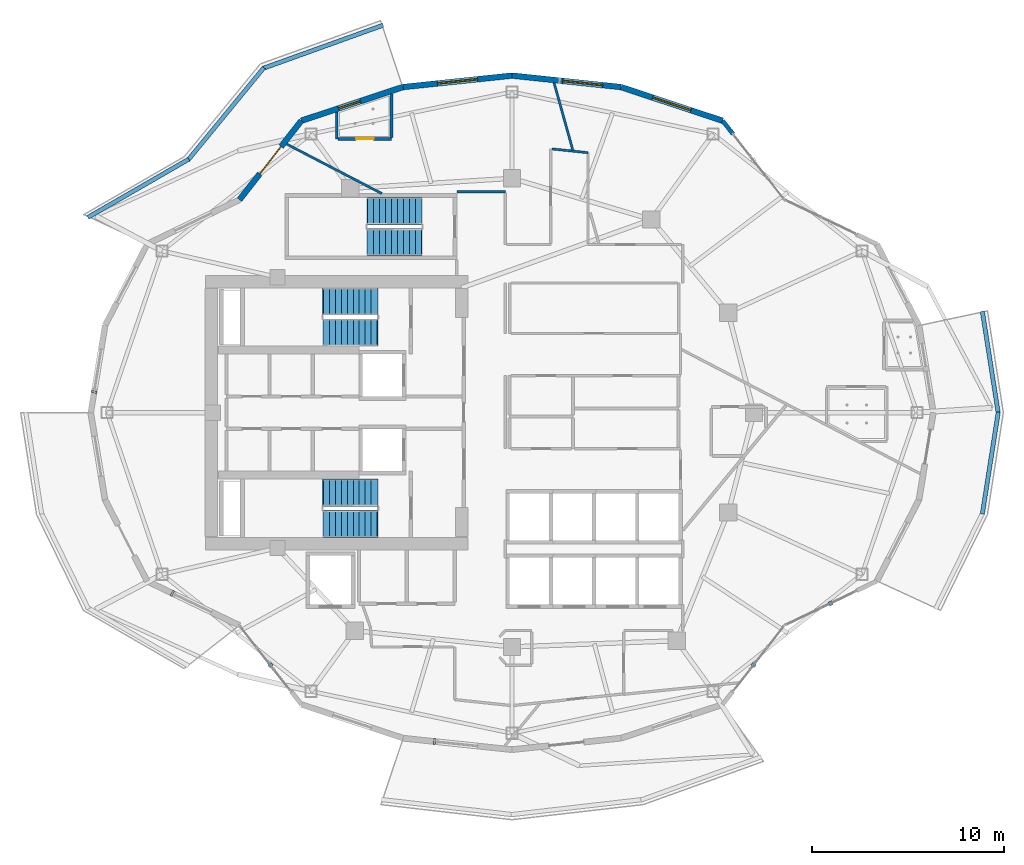
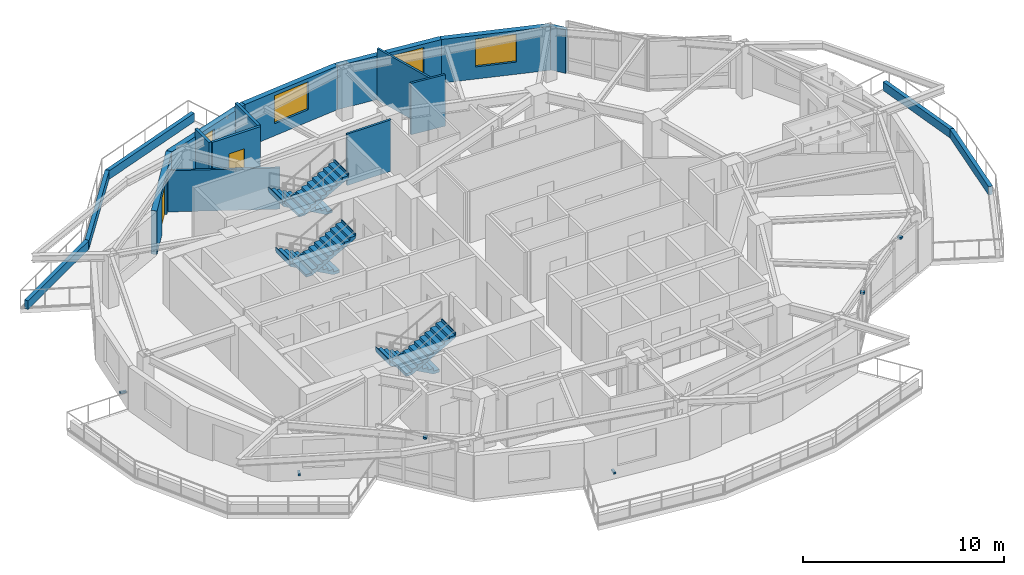
# One storey, part 12 of 18: 18 walls, 6 discrete accessories, 6 stair flights, 4 windows, 2 doors, 6 openings, 3 elements without a shape of their own.
"""IFC4 building model written with IfcOpenShell, lengths in metres."""

from ifc_helpers import new_model, si_unit, direction, frame, frame_2d, origin, origin_2d, place, context, subcontext, project, spatial, polyline, rectangle, outline, extrude, material, layer, layer_set, type_object, element, fill, aggregate, save


model = new_model("IFC4")

# Units and contexts
model_context = context("Model", 3, precision=1e-05, world=origin(), true_north=direction((0.0, 1.0)))
body_context = subcontext(model_context, "Body", "Model", "MODEL_VIEW")
ifc_project = project(units=[si_unit("LENGTHUNIT", "METRE"), si_unit("AREAUNIT", "SQUARE_METRE"), si_unit("VOLUMEUNIT", "CUBIC_METRE"), si_unit("PLANEANGLEUNIT", "RADIAN"), si_unit("MASSUNIT", "GRAM", prefix="KILO")], contexts=[model_context])

# Site, building, storey
site_placement = place(None, origin())
site = spatial("IfcSite", under=ifc_project, at=site_placement, CompositionType="ELEMENT")
building_placement = place(site_placement, origin())
building = spatial("IfcBuilding", under=site, at=building_placement, Name="Kolvaren Gate Tower and Convention Centre", CompositionType="ELEMENT")
storey_placement = place(building_placement, frame((0.0, 0.0, 176.699951171875)))
storey = spatial("IfcBuildingStorey", under=building, at=storey_placement, Name="L46", CompositionType="ELEMENT", Elevation=176.699951171875)

# Walls
ifc_material_1 = material(Name="Fire-Rated Acoustic Gypsum Stud Partition", Category="gypsum")
ifc_layer_1 = layer(ifc_material_1, 0.1201171875)
ifc_layer_set_1 = layer_set([ifc_layer_1], Name="Fire-Rated Acoustic Gypsum Stud Partition")
wall_type_1 = type_object("IfcWallType", Name="ARCH-WL-PART-120", PredefinedType="PARTITIONING", material=ifc_layer_set_1)
wall_1_placement = place(storey_placement, frame((27.25, 38.5, 0.0), z_axis=(0.0, 0.0, 1.0), x_axis=(1.0, 0.0, 0.0)))
element("IfcWall", 1, at=wall_1_placement, inside=storey, type_object=wall_type_1, Name="Interior Partition WL-L46-INT-038", PredefinedType="PARTITIONING", context=body_context, shape_type="SweptSolid", body=[
    extrude(rectangle(XDim=2.530029296875, YDim=0.1201171875, at=frame_2d((1.26513671875, 0.0))), origin(), (0.0, 0.0, 1.0), 3.130126953125),
])
wall_2_placement = place(storey_placement, frame((32.2119140625, 40.73046875, 0.0), z_axis=(0.0, 0.0, 1.0), x_axis=(0.994511860417, -0.104623895405, 0.0)))
element("IfcWall", 2, at=wall_2_placement, inside=storey, type_object=wall_type_1, Name="Interior Partition WL-L46-INT-046", PredefinedType="PARTITIONING", context=body_context, shape_type="SweptSolid", body=[
    extrude(rectangle(XDim=1.87841796875, YDim=0.1201171875, at=frame_2d((0.939208984375, 0.0))), origin(), (0.0, 0.0, 1.0), 3.130126953125),
])
wall_3_placement = place(storey_placement, frame((18.39599609375, 40.981201171875, 0.0), z_axis=(0.0, 0.0, 1.0), x_axis=(0.887120213162, -0.461538435452, 0.0)))
element("IfcWall", 3, at=wall_3_placement, inside=storey, type_object=wall_type_1, Name="Interior Partition WL-L46-INT-054", PredefinedType="PARTITIONING", context=body_context, shape_type="SweptSolid", body=[
    extrude(rectangle(XDim=5.588134765625, YDim=0.1201171875, at=frame_2d((2.7939453125, 0.0))), origin(), (0.0, 0.0, 1.0), 2.505126953125),
])
wall_4_placement = place(storey_placement, frame((32.317138671875, 44.166259765625, 0.0), z_axis=(0.0, 0.0, 1.0), x_axis=(0.268461316047, -0.963290465948, 0.0)))
element("IfcWall", 4, at=wall_4_placement, inside=storey, type_object=wall_type_1, Name="Interior Partition WL-L46-INT-070", PredefinedType="PARTITIONING", context=body_context, shape_type="SweptSolid", body=[
    extrude(rectangle(XDim=3.619384765625, YDim=0.1201171875, at=frame_2d((1.8095703125, 0.0))), origin(), (0.0, 0.0, 1.0), 3.130126953125),
])
ifc_material_2 = material(Name="Bogota Sabana Bush-Hammered Sandstone Cladding", Category="masonry")
ifc_layer_2 = layer(ifc_material_2, 0.219970703125)
ifc_layer_set_2 = layer_set([ifc_layer_2], Name="Bogota Sabana Bush-Hammered Sandstone Cladding")
wall_type_2 = type_object("IfcWallType", Name="ARCH-WL-PIER-220", PredefinedType="SOLIDWALL", material=ifc_layer_set_2)
wall_5_placement = place(storey_placement, frame((41.09375, 42.19873046875, 0.0), z_axis=(0.0, 0.0, 1.0), x_axis=(0.616368366719, -0.787457958566, 0.0)))
element("IfcWall", 5, at=wall_5_placement, inside=storey, type_object=wall_type_2, Name="Tower L46 Unitised Curtain Wall CW-HTL-UNIT Bay 03 Left Column Pier Wrap", PredefinedType="SOLIDWALL", context=body_context, shape_type="SweptSolid", body=[
    extrude(rectangle(XDim=0.876220703125, YDim=0.219970703125, at=frame_2d((0.43798828125, 0.0))), origin(), (0.0, 0.0, 1.0), 2.653076171875),
])
ifc_material_3 = material(Name="Piedmont Cream Honed Limestone Cladding", Category="masonry")
ifc_layer_3 = layer(ifc_material_3, 0.219970703125)
ifc_layer_set_3 = layer_set([ifc_layer_3], Name="Piedmont Cream Honed Limestone Cladding")
wall_type_3 = type_object("IfcWallType", Name="ARCH-WL-PLANTER-220", PredefinedType="PARAPET", material=ifc_layer_set_3)
wall_6_placement = place(storey_placement, frame((17.14306640625, 44.917724609375, 0.0), z_axis=(0.0, 0.0, 1.0), x_axis=(0.94094437769, 0.33856118811, 0.0)))
element("IfcWall", 6, at=wall_6_placement, inside=storey, type_object=wall_type_3, Name="Vertical-Forest Balcony Stone Planter Kerb PK-L46-1.1", PredefinedType="PARAPET", context=body_context, shape_type="SweptSolid", body=[
    extrude(rectangle(XDim=6.663818359375, YDim=0.219970703125, at=frame_2d((3.33203125, 0.0))), origin(), (0.0, 0.0, 1.0), 0.52001953125),
])
wall_7_placement = place(storey_placement, frame((13.24609375, 40.13720703125, 0.0), z_axis=(0.0, 0.0, 1.0), x_axis=(0.634429234628, 0.77298094818, 0.0)))
element("IfcWall", 7, at=wall_7_placement, inside=storey, type_object=wall_type_3, Name="Vertical-Forest Balcony Stone Planter Kerb PK-L46-1.2", PredefinedType="PARAPET", context=body_context, shape_type="SweptSolid", body=[
    extrude(rectangle(XDim=6.244873046875, YDim=0.219970703125, at=frame_2d((3.12255859375, 0.0))), origin(), (0.0, 0.0, 1.0), 0.52001953125),
])
wall_8_placement = place(storey_placement, frame((8.0439453125, 37.16552734375, 0.0), z_axis=(0.0, 0.0, 1.0), x_axis=(0.866058128659, 0.499943314571, 0.0)))
element("IfcWall", 8, at=wall_8_placement, inside=storey, type_object=wall_type_3, Name="Vertical-Forest Balcony Stone Planter Kerb PK-L46-1.3", PredefinedType="PARAPET", context=body_context, shape_type="SweptSolid", body=[
    extrude(rectangle(XDim=6.060302734375, YDim=0.219970703125, at=frame_2d((3.0302734375, 0.0))), origin(), (0.0, 0.0, 1.0), 0.52001953125),
])
for number, where, z_axis, x_axis, name in (
    (9, (54.615234375, 21.719970703125, 0.0), (0.0, 0.0, 1.0), (0.154245214003, 0.988032597619, 0.0), "Vertical-Forest Balcony Stone Planter Kerb PK-L46-4.2"),
    (10, (54.615234375, 32.280029296875, 0.0), (0.0, 0.0, 1.0), (0.154245214003, -0.988032597619, 0.0), "Vertical-Forest Balcony Stone Planter Kerb PK-L46-4.3"),
):
    element("IfcWall", number, at=place(storey_placement, frame(where, z_axis=z_axis, x_axis=x_axis)), inside=storey, type_object=wall_type_3, Name=name, PredefinedType="PARAPET", context=body_context, shape_type="SweptSolid", body=[
        extrude(rectangle(XDim=5.37353515625, YDim=0.219970703125, at=frame_2d((2.686767578125, 0.0))), origin(), (0.0, 0.0, 1.0), 0.52001953125),
    ])

# Wall, opening, window
ifc_layer_4 = layer(ifc_material_3, 0.300048828125)
ifc_layer_set_4 = layer_set([ifc_layer_4], Name="Piedmont Cream Honed Limestone Cladding")
wall_type_4 = type_object("IfcWallType", Name="ARCH-WL-STONE-300", PredefinedType="SOLIDWALL", material=ifc_layer_set_4)
wall_9_placement = place(storey_placement, frame((35.802734375, 43.951904296875, 0.0), z_axis=(0.0, 0.0, 1.0), x_axis=(0.949246811547, -0.314532177636, 0.0)))
wall_9 = element("IfcWall", 11, at=wall_9_placement, inside=storey, type_object=wall_type_4, Name="Tower L46 Honed Stone Spandrel Wall EW-04", PredefinedType="SOLIDWALL", context=body_context, shape_type="SweptSolid", body=[
    extrude(rectangle(XDim=5.573974609375, YDim=0.300048828125, at=frame_2d((2.787109375, 0.0))), origin(), (0.0, 0.0, 1.0), 2.653076171875),
])
opening_1_placement = place(wall_9_placement, frame((1.737060546875, 0.0, 0.739990234375)))
opening_1 = element("IfcOpeningElement", 12, at=opening_1_placement, cuts=wall_9, Name="Opening W-02", PredefinedType="OPENING", context=body_context, shape_type="SweptSolid", body=[
    extrude(rectangle(XDim=2.10009765625, YDim=1.699951171875, at=frame_2d((1.050048828125, 0.85009765625))), frame((0.0, 0.159912109375, 0.0), z_axis=(0.0, -1.0, 0.0), x_axis=(1.0, 0.0, 0.0)), (0.0, 0.0, 1.0), 0.320068359375),
])
ifc_material_4 = material(Name="Low-E Triple Insulated Glazing Unit 44 mm", Category="glass")
window_type_1 = type_object("IfcWindowType", Name="ARCH-WN-HTL-2100", PartitioningType="SINGLE_PANEL", PredefinedType="WINDOW", material=ifc_material_4)
window_1_placement = place(opening_1_placement, origin())
window_1 = element("IfcWindow", 13, at=window_1_placement, inside=storey, type_object=window_type_1, Name="Tower L46 Punched Stone Facade Window W-04", OverallHeight=1.699951171875, OverallWidth=2.10009765625, PartitioningType="SINGLE_PANEL", PredefinedType="WINDOW", context=body_context, shape_type="SweptSolid", body=[
    extrude(rectangle(XDim=2.10009765625, YDim=1.699951171875, at=frame_2d((1.050048828125, 0.85009765625))), frame((0.0, 0.030029296875, 0.0), z_axis=(0.0, -1.0, 0.0), x_axis=(1.0, 0.0, 0.0)), (0.0, 0.0, 1.0), 0.06005859375),
])
fill(opening_1, window_1)

wall_10_placement = place(storey_placement, frame((30.125, 44.550048828125, 0.0), z_axis=(0.0, 0.0, 1.0), x_axis=(0.994496545245, -0.104769372887, 0.0)))
wall_10 = element("IfcWall", 14, at=wall_10_placement, inside=storey, type_object=wall_type_4, Name="Tower L46 Honed Stone Spandrel Wall EW-05", PredefinedType="SOLIDWALL", context=body_context, shape_type="SweptSolid", body=[
    extrude(rectangle(XDim=5.709228515625, YDim=0.300048828125, at=frame_2d((2.8544921875, 0.0))), origin(), (0.0, 0.0, 1.0), 2.653076171875),
])
opening_2_placement = place(wall_10_placement, frame((2.64990234375, 0.0, 0.739990234375)))
opening_2 = element("IfcOpeningElement", 15, at=opening_2_placement, cuts=wall_10, Name="Opening W-02", PredefinedType="OPENING", context=body_context, shape_type="SweptSolid", body=[
    extrude(rectangle(XDim=2.10009765625, YDim=1.699951171875, at=frame_2d((1.050048828125, 0.85009765625))), frame((0.0, 0.159912109375, 0.0), z_axis=(0.0, -1.0, 0.0), x_axis=(1.0, 0.0, 0.0)), (0.0, 0.0, 1.0), 0.320068359375),
])
window_2_placement = place(opening_2_placement, origin())
window_2 = element("IfcWindow", 16, at=window_2_placement, inside=storey, type_object=window_type_1, Name="Tower L46 Punched Stone Facade Window W-05", OverallHeight=1.699951171875, OverallWidth=2.10009765625, PartitioningType="SINGLE_PANEL", PredefinedType="WINDOW", context=body_context, shape_type="SweptSolid", body=[
    extrude(rectangle(XDim=2.10009765625, YDim=1.699951171875, at=frame_2d((1.050048828125, 0.85009765625))), frame((0.0, 0.030029296875, 0.0), z_axis=(0.0, -1.0, 0.0), x_axis=(1.0, 0.0, 0.0)), (0.0, 0.0, 1.0), 0.06005859375),
])
fill(opening_2, window_2)

wall_11_placement = place(storey_placement, frame((24.447265625, 43.951904296875, 0.0), z_axis=(0.0, 0.0, 1.0), x_axis=(0.994496545245, 0.104769372887, 0.0)))
wall_11 = element("IfcWall", 17, at=wall_11_placement, inside=storey, type_object=wall_type_4, Name="Tower L46 Honed Stone Spandrel Wall EW-06", PredefinedType="SOLIDWALL", context=body_context, shape_type="SweptSolid", body=[
    extrude(rectangle(XDim=5.709228515625, YDim=0.300048828125, at=frame_2d((2.8544921875, 0.0))), origin(), (0.0, 0.0, 1.0), 2.653076171875),
])
opening_3_placement = place(wall_11_placement, frame((1.804931640625, 0.0, 0.739990234375)))
opening_3 = element("IfcOpeningElement", 18, at=opening_3_placement, cuts=wall_11, Name="Opening W-02", PredefinedType="OPENING", context=body_context, shape_type="SweptSolid", body=[
    extrude(rectangle(XDim=2.10009765625, YDim=1.699951171875, at=frame_2d((1.050048828125, 0.85009765625))), frame((0.0, 0.159912109375, 0.0), z_axis=(0.0, -1.0, 0.0), x_axis=(1.0, 0.0, 0.0)), (0.0, 0.0, 1.0), 0.320068359375),
])
window_3_placement = place(opening_3_placement, origin())
window_3 = element("IfcWindow", 19, at=window_3_placement, inside=storey, type_object=window_type_1, Name="Tower L46 Punched Stone Facade Window W-06", OverallHeight=1.699951171875, OverallWidth=2.10009765625, PartitioningType="SINGLE_PANEL", PredefinedType="WINDOW", context=body_context, shape_type="SweptSolid", body=[
    extrude(rectangle(XDim=2.10009765625, YDim=1.699951171875, at=frame_2d((1.050048828125, 0.85009765625))), frame((0.0, 0.030029296875, 0.0), z_axis=(0.0, -1.0, 0.0), x_axis=(1.0, 0.0, 0.0)), (0.0, 0.0, 1.0), 0.06005859375),
])
fill(opening_3, window_3)

wall_12_placement = place(storey_placement, frame((19.15625, 42.19873046875, 0.0), z_axis=(0.0, 0.0, 1.0), x_axis=(0.949246811547, 0.314532177636, 0.0)))
wall_12 = element("IfcWall", 20, at=wall_12_placement, inside=storey, type_object=wall_type_4, Name="Tower L46 Honed Stone Spandrel Wall EW-07", PredefinedType="SOLIDWALL", context=body_context, shape_type="SweptSolid", body=[
    extrude(rectangle(XDim=5.573974609375, YDim=0.300048828125, at=frame_2d((2.787109375, 0.0))), origin(), (0.0, 0.0, 1.0), 2.653076171875),
])
opening_4_placement = place(wall_12_placement, frame((2.0400390625, 0.0, 0.719970703125)))
opening_4 = element("IfcOpeningElement", 21, at=opening_4_placement, cuts=wall_12, Name="Opening W-04", PredefinedType="OPENING", context=body_context, shape_type="SweptSolid", body=[
    extrude(rectangle(XDim=1.199951171875, YDim=1.64990234375, at=frame_2d((0.60009765625, 0.824951171875))), frame((0.0, 0.159912109375, 0.0), z_axis=(0.0, -1.0, 0.0), x_axis=(1.0, 0.0, 0.0)), (0.0, 0.0, 1.0), 0.320068359375),
])
window_type_2 = type_object("IfcWindowType", Name="ARCH-WN-NARROW-1200", PartitioningType="SINGLE_PANEL", PredefinedType="WINDOW", material=ifc_material_4)
window_4_placement = place(opening_4_placement, origin())
window_4 = element("IfcWindow", 22, at=window_4_placement, inside=storey, type_object=window_type_2, Name="Tower L46 Punched Stone Facade Window W-07", OverallHeight=1.64990234375, OverallWidth=1.199951171875, PartitioningType="SINGLE_PANEL", PredefinedType="WINDOW", context=body_context, shape_type="SweptSolid", body=[
    extrude(rectangle(XDim=1.199951171875, YDim=1.64990234375, at=frame_2d((0.60009765625, 0.824951171875))), frame((0.0, 0.030029296875, 0.0), z_axis=(0.0, -1.0, 0.0), x_axis=(1.0, 0.0, 0.0)), (0.0, 0.0, 1.0), 0.06005859375),
])
fill(opening_4, window_4)

# Wall, opening, door
wall_13_placement = place(storey_placement, frame((15.9365234375, 38.0859375, 0.0), z_axis=(0.0, 0.0, 1.0), x_axis=(0.616429245738, 0.787410302828, 0.0)))
wall_13 = element("IfcWall", 23, at=wall_13_placement, inside=storey, type_object=wall_type_4, Name="Tower L46 Honed Stone Spandrel Wall EW-08", PredefinedType="SOLIDWALL", context=body_context, shape_type="SweptSolid", body=[
    extrude(rectangle(XDim=5.22314453125, YDim=0.300048828125, at=frame_2d((2.611572265625, 0.0))), origin(), (0.0, 0.0, 1.0), 2.653076171875),
])
opening_5_placement = place(wall_13_placement, frame((1.7119140625, 0.0, 0.0)))
opening_5 = element("IfcOpeningElement", 24, at=opening_5_placement, cuts=wall_13, Name="Opening DB-01", PredefinedType="OPENING", context=body_context, shape_type="SweptSolid", body=[
    extrude(rectangle(XDim=1.800048828125, YDim=2.25, at=frame_2d((0.89990234375, 1.125))), frame((0.0, 0.159912109375, 0.0), z_axis=(0.0, -1.0, 0.0), x_axis=(1.0, 0.0, 0.0)), (0.0, 0.0, 1.0), 0.320068359375),
])
ifc_material_5 = material(Name="Anodized Architectural Aluminium Alloy 6063-T6", Category="aluminium")
door_type_1 = type_object("IfcDoorType", Name="ARCH-DR-BALC-1800", OperationType="SLIDING_TO_LEFT", PredefinedType="DOOR", material=ifc_material_5)
door_1_placement = place(opening_5_placement, origin())
door_1 = element("IfcDoor", 25, at=door_1_placement, inside=storey, type_object=door_type_1, Name="Planted Sky Terrace Access Door DB-L46-08", OperationType="SLIDING_TO_LEFT", OverallHeight=2.25, OverallWidth=1.800048828125, PredefinedType="DOOR", context=body_context, shape_type="SweptSolid", body=[
    extrude(rectangle(XDim=1.800048828125, YDim=2.25, at=frame_2d((0.89990234375, 1.125))), frame((0.0, 0.02490234375, 0.0), z_axis=(0.0, -1.0, 0.0), x_axis=(1.0, 0.0, 0.0)), (0.0, 0.0, 1.0), 0.050048828125),
])
fill(opening_5, door_1)

# Wall
ifc_material_6 = material(Name="Moisture-Resistant Cement-Board Acoustic Partition", Category="gypsum")
ifc_layer_5 = layer(ifc_material_6, 0.14990234375)
ifc_layer_set_5 = layer_set([ifc_layer_5], Name="Moisture-Resistant Cement-Board Acoustic Partition")
wall_type_5 = type_object("IfcWallType", Name="ARCH-WL-WET-150", PredefinedType="PARTITIONING", material=ifc_layer_set_5)
wall_14_placement = place(storey_placement, frame((21.0, 41.25, 0.0), z_axis=(0.0, 0.0, 1.0), x_axis=(0.0, 1.0, 0.0)))
element("IfcWall", 26, at=wall_14_placement, inside=storey, type_object=wall_type_5, Name="Interior Partition WL-L46-INT-072", PredefinedType="PARTITIONING", context=body_context, shape_type="SweptSolid", body=[
    extrude(rectangle(XDim=1.3994140625, YDim=0.14990234375, at=frame_2d((0.69970703125, 0.0))), origin(), (0.0, 0.0, 1.0), 3.130126953125),
])

# Wall, opening, door
wall_15_placement = place(storey_placement, frame((21.076904296875, 41.25, 0.0), z_axis=(0.0, 0.0, 1.0), x_axis=(1.0, 0.0, 0.0)))
wall_15 = element("IfcWall", 27, at=wall_15_placement, inside=storey, type_object=wall_type_5, Name="Interior Partition WL-L46-INT-073", PredefinedType="PARTITIONING", context=body_context, shape_type="SweptSolid", body=[
    extrude(rectangle(XDim=2.773193359375, YDim=0.14990234375, at=frame_2d((1.38671875, 0.0))), origin(), (0.0, 0.0, 1.0), 3.130126953125),
])
opening_6_placement = place(wall_15_placement, frame((0.9365234375, 0.0, 0.0)))
opening_6 = element("IfcOpeningElement", 28, at=opening_6_placement, cuts=wall_15, Name="Opening DW-01", PredefinedType="OPENING", context=body_context, shape_type="SweptSolid", body=[
    extrude(rectangle(XDim=0.89990234375, YDim=2.10009765625, at=frame_2d((0.449951171875, 1.050048828125))), frame((0.0, 0.0849609375, 0.0), z_axis=(0.0, -1.0, 0.0), x_axis=(1.0, 0.0, 0.0)), (0.0, 0.0, 1.0), 0.169921875),
])
ifc_material_7 = material(Name="FSC Andean Oak Engineered Veneer Door Leaf", Category="wood")
door_type_2 = type_object("IfcDoorType", Name="ARCH-DR-WC-900", OperationType="SINGLE_SWING_RIGHT", PredefinedType="DOOR", material=ifc_material_7)
door_2_placement = place(opening_6_placement, origin())
door_2 = element("IfcDoor", 29, at=door_2_placement, inside=storey, type_object=door_type_2, Name="En-suite Bathroom (HTL-L46-06) Door", OperationType="SINGLE_SWING_RIGHT", OverallHeight=2.10009765625, OverallWidth=0.89990234375, PredefinedType="DOOR", context=body_context, shape_type="SweptSolid", body=[
    extrude(rectangle(XDim=0.89990234375, YDim=2.10009765625, at=frame_2d((0.449951171875, 1.050048828125))), frame((0.0, 0.02490234375, 0.0), z_axis=(0.0, -1.0, 0.0), x_axis=(1.0, 0.0, 0.0)), (0.0, 0.0, 1.0), 0.050048828125),
])
fill(opening_6, door_2)

# Wall
wall_16_placement = place(storey_placement, frame((23.85009765625, 41.326904296875, 0.0), z_axis=(0.0, 0.0, 1.0), x_axis=(0.0, 1.0, 0.0)))
element("IfcWall", 30, at=wall_16_placement, inside=storey, type_object=wall_type_5, Name="Interior Partition WL-L46-INT-074", PredefinedType="PARTITIONING", context=body_context, shape_type="SweptSolid", body=[
    extrude(rectangle(XDim=2.26708984375, YDim=0.14990234375, at=frame_2d((1.133544921875, 0.0))), origin(), (0.0, 0.0, 1.0), 3.130126953125),
])

# Stair, stair flights
ifc_material_8 = material(Name="Concrete C50/60", Category="concrete")
stair_type = type_object("IfcStairType", Name="STR-STAIR-CORE", PredefinedType="HALF_TURN_STAIR", material=ifc_material_8)
stair_1_placement = place(storey_placement, origin())
stair_1 = element("IfcStair", 31, at=stair_1_placement, inside=storey, type_object=stair_type, Name="L46 Tower North Exit Stair ST-T1", PredefinedType="HALF_TURN_STAIR")
stair_flight_type = type_object("IfcStairFlightType", Name="STR-SFL-1420", PredefinedType="STRAIGHT", material=ifc_material_8)
stair_flight_1_placement = place(storey_placement, frame((23.10009765625, 32.7900390625, 0.0), z_axis=(0.0, 0.0, 1.0), x_axis=(-1.0, 0.0, 0.0)))
stair_flight_1 = element("IfcStairFlight", 32, at=stair_flight_1_placement, type_object=stair_flight_type, Name="ST-T1 flight 1", NumberOfRisers=10, NumberOfTreads=9, PredefinedType="STRAIGHT", RiserHeight=0.17, TreadLength=0.31, context=body_context, shape_type="SweptSolid", body=[
    extrude(outline(polyline([(-0.034912109375, 0.0), (-0.034912109375, 0.169921875), (0.31005859375, 0.169921875), (0.31005859375, 0.340087890625), (0.6201171875, 0.340087890625), (0.6201171875, 0.510009765625), (0.929931640625, 0.510009765625), (0.929931640625, 0.679931640625), (1.239990234375, 0.679931640625), (1.239990234375, 0.85009765625), (1.550048828125, 0.85009765625), (1.550048828125, 1.02001953125), (1.860107421875, 1.02001953125), (1.860107421875, 1.18994140625), (2.169921875, 1.18994140625), (2.169921875, 1.360107421875), (2.47998046875, 1.360107421875), (2.47998046875, 1.530029296875), (2.7900390625, 1.530029296875), (2.7900390625, 1.699951171875), (2.8349609375, 1.699951171875), (2.8349609375, 1.5400390625), (2.7900390625, 1.359130859375), (0.311767578125, 0.0), (-0.034912109375, 0.0)])), frame((0.0, 0.7099609375, 0.0), z_axis=(0.0, -1.0, 0.0), x_axis=(1.0, 0.0, 0.0)), (0.0, 0.0, 1.0), 1.419921875),
])
stair_flight_2_placement = place(storey_placement, frame((20.31005859375, 31.169921875, 1.699951171875), z_axis=(0.0, 0.0, 1.0), x_axis=(1.0, 0.0, 0.0)))
stair_flight_2 = element("IfcStairFlight", 33, at=stair_flight_2_placement, type_object=stair_flight_type, Name="ST-T1 flight 2", NumberOfRisers=10, NumberOfTreads=9, PredefinedType="STRAIGHT", RiserHeight=0.17, TreadLength=0.31, context=body_context, shape_type="SweptSolid", body=[
    extrude(outline(polyline([(-0.034912109375, 0.0), (-0.034912109375, 0.169921875), (0.31005859375, 0.169921875), (0.31005859375, 0.340087890625), (0.6201171875, 0.340087890625), (0.6201171875, 0.510009765625), (0.929931640625, 0.510009765625), (0.929931640625, 0.679931640625), (1.239990234375, 0.679931640625), (1.239990234375, 0.85009765625), (1.550048828125, 0.85009765625), (1.550048828125, 1.02001953125), (1.860107421875, 1.02001953125), (1.860107421875, 1.18994140625), (2.169921875, 1.18994140625), (2.169921875, 1.360107421875), (2.47998046875, 1.360107421875), (2.47998046875, 1.530029296875), (2.7900390625, 1.530029296875), (2.7900390625, 1.699951171875), (2.8349609375, 1.699951171875), (2.8349609375, 1.5400390625), (2.7900390625, 1.359130859375), (0.311767578125, 0.0), (-0.034912109375, 0.0)])), frame((0.0, 0.7099609375, 0.0), z_axis=(0.0, -1.0, 0.0), x_axis=(1.0, 0.0, 0.0)), (0.0, 0.0, 1.0), 1.419921875),
])
aggregate(stair_1, [stair_flight_1, stair_flight_2])

stair_2_placement = place(storey_placement, origin())
stair_2 = element("IfcStair", 34, at=stair_2_placement, inside=storey, type_object=stair_type, Name="L46 Tower South Exit Stair ST-T2", PredefinedType="HALF_TURN_STAIR")
stair_flight_3_placement = place(storey_placement, frame((23.10009765625, 22.830078125, 0.0), z_axis=(0.0, 0.0, 1.0), x_axis=(-1.0, 0.0, 0.0)))
stair_flight_3 = element("IfcStairFlight", 35, at=stair_flight_3_placement, type_object=stair_flight_type, Name="ST-T2 flight 1", NumberOfRisers=10, NumberOfTreads=9, PredefinedType="STRAIGHT", RiserHeight=0.17, TreadLength=0.31, context=body_context, shape_type="SweptSolid", body=[
    extrude(outline(polyline([(-0.034912109375, 0.0), (-0.034912109375, 0.169921875), (0.31005859375, 0.169921875), (0.31005859375, 0.340087890625), (0.6201171875, 0.340087890625), (0.6201171875, 0.510009765625), (0.929931640625, 0.510009765625), (0.929931640625, 0.679931640625), (1.239990234375, 0.679931640625), (1.239990234375, 0.85009765625), (1.550048828125, 0.85009765625), (1.550048828125, 1.02001953125), (1.860107421875, 1.02001953125), (1.860107421875, 1.18994140625), (2.169921875, 1.18994140625), (2.169921875, 1.360107421875), (2.47998046875, 1.360107421875), (2.47998046875, 1.530029296875), (2.7900390625, 1.530029296875), (2.7900390625, 1.699951171875), (2.8349609375, 1.699951171875), (2.8349609375, 1.5400390625), (2.7900390625, 1.359130859375), (0.311767578125, 0.0), (-0.034912109375, 0.0)])), frame((0.0, 0.7099609375, 0.0), z_axis=(0.0, -1.0, 0.0), x_axis=(1.0, 0.0, 0.0)), (0.0, 0.0, 1.0), 1.419921875),
])
stair_flight_4_placement = place(storey_placement, frame((20.31005859375, 21.2099609375, 1.699951171875), z_axis=(0.0, 0.0, 1.0), x_axis=(1.0, 0.0, 0.0)))
stair_flight_4 = element("IfcStairFlight", 36, at=stair_flight_4_placement, type_object=stair_flight_type, Name="ST-T2 flight 2", NumberOfRisers=10, NumberOfTreads=9, PredefinedType="STRAIGHT", RiserHeight=0.17, TreadLength=0.31, context=body_context, shape_type="SweptSolid", body=[
    extrude(outline(polyline([(-0.034912109375, 0.0), (-0.034912109375, 0.169921875), (0.31005859375, 0.169921875), (0.31005859375, 0.340087890625), (0.6201171875, 0.340087890625), (0.6201171875, 0.510009765625), (0.929931640625, 0.510009765625), (0.929931640625, 0.679931640625), (1.239990234375, 0.679931640625), (1.239990234375, 0.85009765625), (1.550048828125, 0.85009765625), (1.550048828125, 1.02001953125), (1.860107421875, 1.02001953125), (1.860107421875, 1.18994140625), (2.169921875, 1.18994140625), (2.169921875, 1.360107421875), (2.47998046875, 1.360107421875), (2.47998046875, 1.530029296875), (2.7900390625, 1.530029296875), (2.7900390625, 1.699951171875), (2.8349609375, 1.699951171875), (2.8349609375, 1.5400390625), (2.7900390625, 1.359130859375), (0.311767578125, 0.0), (-0.034912109375, 0.0)])), frame((0.0, 0.7099609375, 0.0), z_axis=(0.0, -1.0, 0.0), x_axis=(1.0, 0.0, 0.0)), (0.0, 0.0, 1.0), 1.419921875),
])
aggregate(stair_2, [stair_flight_3, stair_flight_4])

stair_3_placement = place(storey_placement, origin())
stair_3 = element("IfcStair", 37, at=stair_3_placement, inside=storey, type_object=stair_type, Name="L46 Tower Mid-Zone Exit Stair ST-T3", PredefinedType="HALF_TURN_STAIR")
stair_flight_5_placement = place(storey_placement, frame((25.39990234375, 37.489990234375, 0.0), z_axis=(0.0, 0.0, 1.0), x_axis=(-1.0, 0.0, 0.0)))
stair_flight_5 = element("IfcStairFlight", 38, at=stair_flight_5_placement, type_object=stair_flight_type, Name="ST-T3 flight 1", NumberOfRisers=10, NumberOfTreads=9, PredefinedType="STRAIGHT", RiserHeight=0.17, TreadLength=0.31, context=body_context, shape_type="SweptSolid", body=[
    extrude(outline(polyline([(-0.034912109375, 0.0), (-0.034912109375, 0.169921875), (0.31005859375, 0.169921875), (0.31005859375, 0.340087890625), (0.6201171875, 0.340087890625), (0.6201171875, 0.510009765625), (0.929931640625, 0.510009765625), (0.929931640625, 0.679931640625), (1.239990234375, 0.679931640625), (1.239990234375, 0.85009765625), (1.550048828125, 0.85009765625), (1.550048828125, 1.02001953125), (1.860107421875, 1.02001953125), (1.860107421875, 1.18994140625), (2.169921875, 1.18994140625), (2.169921875, 1.360107421875), (2.47998046875, 1.360107421875), (2.47998046875, 1.530029296875), (2.7900390625, 1.530029296875), (2.7900390625, 1.699951171875), (2.8349609375, 1.699951171875), (2.8349609375, 1.5400390625), (2.7900390625, 1.359130859375), (0.311767578125, 0.0), (-0.034912109375, 0.0)])), frame((0.0, 0.7099609375, 0.0), z_axis=(0.0, -1.0, 0.0), x_axis=(1.0, 0.0, 0.0)), (0.0, 0.0, 1.0), 1.419921875),
])
stair_flight_6_placement = place(storey_placement, frame((22.610107421875, 35.8701171875, 1.699951171875), z_axis=(0.0, 0.0, 1.0), x_axis=(1.0, 0.0, 0.0)))
stair_flight_6 = element("IfcStairFlight", 39, at=stair_flight_6_placement, type_object=stair_flight_type, Name="ST-T3 flight 2", NumberOfRisers=10, NumberOfTreads=9, PredefinedType="STRAIGHT", RiserHeight=0.17, TreadLength=0.31, context=body_context, shape_type="SweptSolid", body=[
    extrude(outline(polyline([(-0.034912109375, 0.0), (-0.034912109375, 0.169921875), (0.31005859375, 0.169921875), (0.31005859375, 0.340087890625), (0.6201171875, 0.340087890625), (0.6201171875, 0.510009765625), (0.929931640625, 0.510009765625), (0.929931640625, 0.679931640625), (1.239990234375, 0.679931640625), (1.239990234375, 0.85009765625), (1.550048828125, 0.85009765625), (1.550048828125, 1.02001953125), (1.860107421875, 1.02001953125), (1.860107421875, 1.18994140625), (2.169921875, 1.18994140625), (2.169921875, 1.360107421875), (2.47998046875, 1.360107421875), (2.47998046875, 1.530029296875), (2.7900390625, 1.530029296875), (2.7900390625, 1.699951171875), (2.8349609375, 1.699951171875), (2.8349609375, 1.5400390625), (2.7900390625, 1.359130859375), (0.311767578125, 0.0), (-0.034912109375, 0.0)])), frame((0.0, 0.7099609375, 0.0), z_axis=(0.0, -1.0, 0.0), x_axis=(1.0, 0.0, 0.0)), (0.0, 0.0, 1.0), 1.419921875),
])
aggregate(stair_3, [stair_flight_5, stair_flight_6])

# Discrete accessories
discrete_accessory_type = type_object("IfcDiscreteAccessoryType", Name="ARCH-ACC-BRACKET-120", PredefinedType="BRACKET", material=ifc_material_5)
for number, where, z_axis, x_axis, name in (
    (40, (8.36474609375, 28.077392578125, 0.2900390625), (0.0, 0.0, 1.0), (0.162380568014, 0.986728205298, 0.0), "Ceramic Fin Wall Anchor Bracket FBK-L46-11"),
    (41, (12.44091796875, 17.593505859375, 0.2900390625), (0.0, 0.0, 1.0), (0.901358389955, -0.433073957723, 0.0), "Ceramic Fin Wall Anchor Bracket FBK-L46-14"),
):
    element("IfcDiscreteAccessory", number, at=place(storey_placement, frame(where, z_axis=z_axis, x_axis=x_axis)), inside=storey, type_object=discrete_accessory_type, Name=name, PredefinedType="BRACKET", context=body_context, shape_type="SweptSolid", body=[
        extrude(rectangle(XDim=0.1201171875, YDim=0.320068359375, at=origin_2d()), origin(), (0.0, 0.0, 1.0), 0.1201171875),
    ])
discrete_accessory_1_placement = place(storey_placement, frame((17.54638671875, 13.857666015625, 2.949951171875), z_axis=(0.0, 0.0, 1.0), x_axis=(0.616434119112, -0.787406487651, 0.0)))
element("IfcDiscreteAccessory", 42, at=discrete_accessory_1_placement, inside=storey, type_object=discrete_accessory_type, Name="Solar Screen Spandrel Anchor Bracket BK-L46-15", PredefinedType="BRACKET", context=body_context, shape_type="SweptSolid", body=[
    extrude(rectangle(XDim=0.179931640625, YDim=0.219970703125, at=origin_2d()), origin(), (0.0, 0.0, 1.0), 0.1201171875),
])
discrete_accessory_2_placement = place(storey_placement, frame((26.083251953125, 9.875732421875, 0.2900390625), z_axis=(0.0, 0.0, 1.0), x_axis=(0.994499249941, -0.104743696069, 0.0)))
element("IfcDiscreteAccessory", 43, at=discrete_accessory_2_placement, inside=storey, type_object=discrete_accessory_type, Name="Ceramic Fin Wall Anchor Bracket FBK-L46-17", PredefinedType="BRACKET", context=body_context, shape_type="SweptSolid", body=[
    extrude(rectangle(XDim=0.1201171875, YDim=0.320068359375, at=origin_2d()), origin(), (0.0, 0.0, 1.0), 0.1201171875),
])
for number, where, z_axis, x_axis, name in (
    (44, (42.70361328125, 13.857666015625, 2.949951171875), (0.0, 0.0, 1.0), (0.616434119112, 0.787406487651, 0.0), "Solar Screen Spandrel Anchor Bracket BK-L46-20"),
    (45, (46.718505859375, 17.069580078125, 2.949951171875), (0.0, 0.0, 1.0), (0.901358389955, 0.433073957723, 0.0), "Solar Screen Spandrel Anchor Bracket BK-L46-21"),
):
    element("IfcDiscreteAccessory", number, at=place(storey_placement, frame(where, z_axis=z_axis, x_axis=x_axis)), inside=storey, type_object=discrete_accessory_type, Name=name, PredefinedType="BRACKET", context=body_context, shape_type="SweptSolid", body=[
        extrude(rectangle(XDim=0.179931640625, YDim=0.219970703125, at=origin_2d()), origin(), (0.0, 0.0, 1.0), 0.1201171875),
    ])

save(model, "model.ifc")
